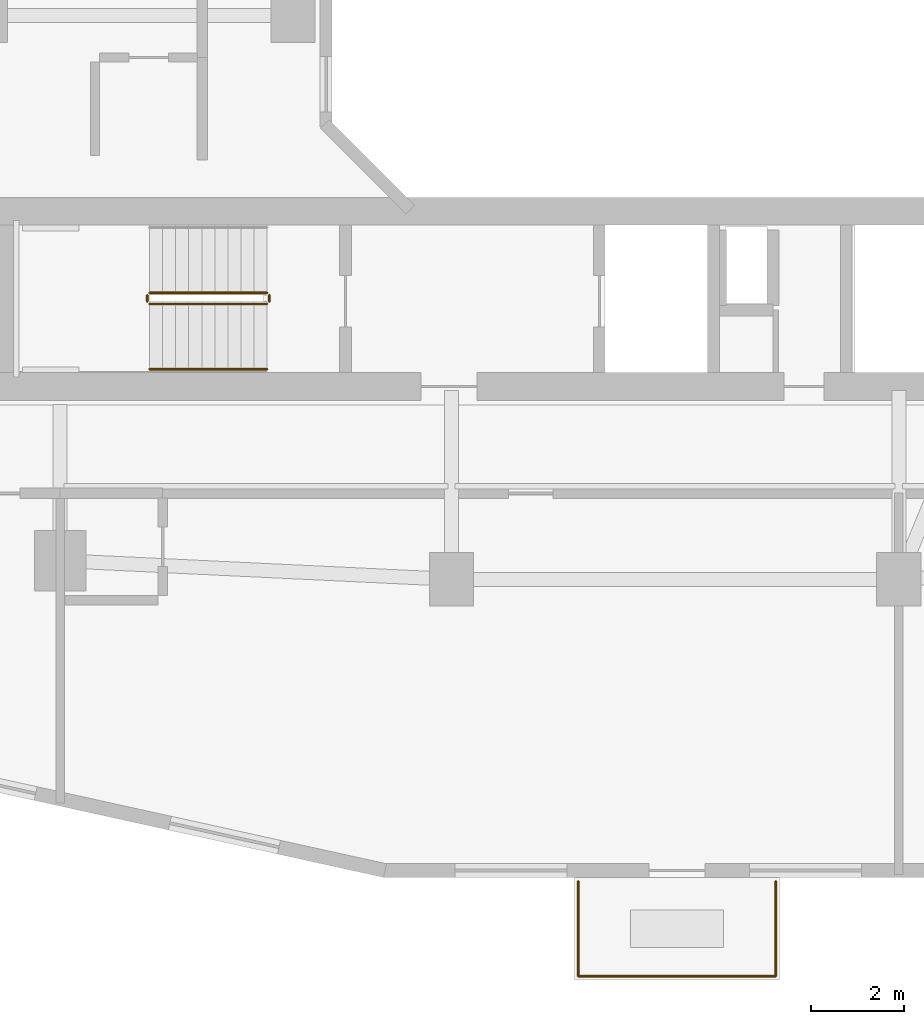
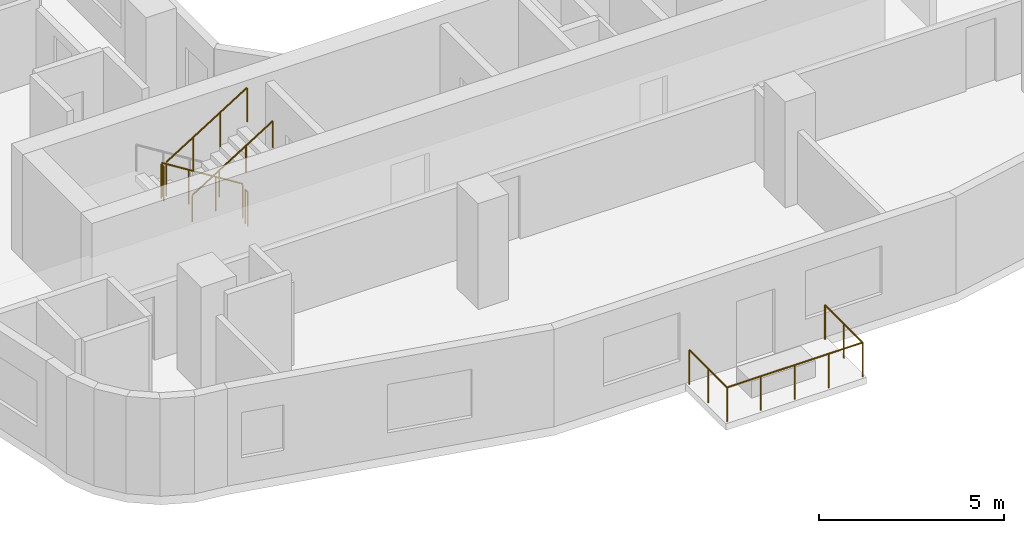
# One storey, part 18 of 22: 8 railings.
"""IFC4 building model written with IfcOpenShell, lengths in metres."""

from ifc_helpers import new_model, si_unit, derived_unit, direction, frame, origin, origin_2d, place, context, subcontext, project, spatial, circle, extrude, material, type_object, element, save


model = new_model("IFC4")

# Units and contexts
model_context = context("Model", 3, precision=1e-05, world=origin(), true_north=direction((0.0, 1.0)))
body_context = subcontext(model_context, "Body", "Model", "MODEL_VIEW")
ifc_project = project(units=[si_unit("LENGTHUNIT", "METRE"), si_unit("AREAUNIT", "SQUARE_METRE"), si_unit("VOLUMEUNIT", "CUBIC_METRE"), si_unit("PLANEANGLEUNIT", "RADIAN"), si_unit("MASSUNIT", "GRAM", prefix="KILO"), derived_unit("THERMALTRANSMITTANCEUNIT", [(si_unit("POWERUNIT", "WATT"), 1), (si_unit("LENGTHUNIT", "METRE"), -2), (si_unit("THERMODYNAMICTEMPERATUREUNIT", "KELVIN"), -1)])], contexts=[model_context])

# Site, building, storey
site_placement = place(None, origin())
site = spatial("IfcSite", under=ifc_project, at=site_placement, CompositionType="ELEMENT")
building_placement = place(site_placement, origin())
building = spatial("IfcBuilding", under=site, at=building_placement, Name="Kivonza Crest Hotel", CompositionType="ELEMENT")
storey_placement = place(building_placement, frame((0.0, 0.0, 27.5)))
storey = spatial("IfcBuildingStorey", under=building, at=storey_placement, Name="L06", CompositionType="ELEMENT", Elevation=27.5)

# Railings
ifc_material_1 = material(Name="Brushed stainless steel handrail", Category="steel")
railing_type_1 = type_object("IfcRailingType", Name="RL-HAND-900", PredefinedType="HANDRAIL", material=ifc_material_1)
railing_1_placement = place(storey_placement, frame((9.719970703125, 13.909912109375, 1.925048828125)))
element("IfcRailing", 1, at=railing_1_placement, inside=storey, type_object=railing_type_1, Name="L06 ST-T1-S stair handrail 2", PredefinedType="HANDRAIL", context=body_context, shape_type="SweptSolid", body=[
    extrude(circle(Radius=0.02392578125, at=origin_2d()), frame((0.0, 0.0, 0.8759765625), z_axis=(0.848007534815, 0.0, 0.529984170421), x_axis=(0.0, 1.0, 0.0)), (0.0, 0.0, 1.0), 2.9716796875),
    extrude(circle(Radius=0.02099609375, at=origin_2d()), origin(), (0.0, 0.0, 1.0), 0.851806640625),
    extrude(circle(Radius=0.02099609375, at=origin_2d()), frame((0.840087890625, 0.0, 0.52490234375)), (0.0, 0.0, 1.0), 0.851806640625),
    extrude(circle(Radius=0.02099609375, at=origin_2d()), frame((1.679931640625, 0.0, 1.050048828125)), (0.0, 0.0, 1.0), 0.851806640625),
    extrude(circle(Radius=0.02099609375, at=origin_2d()), frame((2.52001953125, 0.0, 1.574951171875)), (0.0, 0.0, 1.0), 0.851806640625),
])
ifc_material_2 = material(Name="Painted steel balustrade", Category="steel")
railing_type_2 = type_object("IfcRailingType", Name="RL-STAIR-1150", PredefinedType="BALUSTRADE", material=ifc_material_2)
railing_2_placement = place(storey_placement, frame((12.239990234375, 15.550048828125, 0.175048828125)))
element("IfcRailing", 2, at=railing_2_placement, inside=storey, type_object=railing_type_2, Name="L06 ST-T1-S stair guard 1", PredefinedType="BALUSTRADE", context=body_context, shape_type="SweptSolid", body=[
    extrude(circle(Radius=0.02392578125, at=origin_2d()), frame((0.0, 0.0, 1.1259765625), z_axis=(-0.848007534815, 0.0, 0.529984170421), x_axis=(0.0, -1.0, 0.0)), (0.0, 0.0, 1.0), 2.9716796875),
    extrude(circle(Radius=0.02099609375, at=origin_2d()), origin(), (0.0, 0.0, 1.0), 1.101806640625),
    extrude(circle(Radius=0.02099609375, at=origin_2d()), frame((-0.840087890625, 0.0, 0.52490234375)), (0.0, 0.0, 1.0), 1.101806640625),
    extrude(circle(Radius=0.02099609375, at=origin_2d()), frame((-1.679931640625, 0.0, 1.050048828125)), (0.0, 0.0, 1.0), 1.101806640625),
    extrude(circle(Radius=0.02099609375, at=origin_2d()), frame((-2.52001953125, 0.0, 1.574951171875)), (0.0, 0.0, 1.0), 1.101806640625),
])
railing_3_placement = place(storey_placement, frame((9.669921875, 15.5, 1.75)))
element("IfcRailing", 3, at=railing_3_placement, inside=storey, type_object=railing_type_2, Name="L06 ST-T1-S stair guard 2", PredefinedType="BALUSTRADE", context=body_context, shape_type="SweptSolid", body=[
    extrude(circle(Radius=0.02392578125, at=origin_2d()), frame((0.0, 0.0, 1.1259765625), z_axis=(0.0, -1.0, 0.0), x_axis=(1.0, 0.0, 0.0)), (0.0, 0.0, 1.0), 0.139892578125),
    extrude(circle(Radius=0.02099609375, at=origin_2d()), origin(), (0.0, 0.0, 1.0), 1.101806640625),
    extrude(circle(Radius=0.02099609375, at=origin_2d()), frame((0.0, -0.139892578125, 0.0)), (0.0, 0.0, 1.0), 1.101806640625),
])
railing_4_placement = place(storey_placement, frame((9.719970703125, 15.31005859375, 1.925048828125)))
element("IfcRailing", 4, at=railing_4_placement, inside=storey, type_object=railing_type_2, Name="L06 ST-T1-S stair guard 3", PredefinedType="BALUSTRADE", context=body_context, shape_type="SweptSolid", body=[
    extrude(circle(Radius=0.02392578125, at=origin_2d()), frame((0.0, 0.0, 1.1259765625), z_axis=(0.848007534815, 0.0, 0.529984170421), x_axis=(0.0, 1.0, 0.0)), (0.0, 0.0, 1.0), 2.9716796875),
    extrude(circle(Radius=0.02099609375, at=origin_2d()), origin(), (0.0, 0.0, 1.0), 1.101806640625),
    extrude(circle(Radius=0.02099609375, at=origin_2d()), frame((0.840087890625, 0.0, 0.52490234375)), (0.0, 0.0, 1.0), 1.101806640625),
    extrude(circle(Radius=0.02099609375, at=origin_2d()), frame((1.679931640625, 0.0, 1.050048828125)), (0.0, 0.0, 1.0), 1.101806640625),
    extrude(circle(Radius=0.02099609375, at=origin_2d()), frame((2.52001953125, 0.0, 1.574951171875)), (0.0, 0.0, 1.0), 1.101806640625),
])
railing_5_placement = place(storey_placement, frame((12.2900390625, 15.5, 0.0)))
element("IfcRailing", 5, at=railing_5_placement, inside=storey, type_object=railing_type_2, Name="L06 ST-T1-S stair guard 4", PredefinedType="BALUSTRADE", context=body_context, shape_type="SweptSolid", body=[
    extrude(circle(Radius=0.02392578125, at=origin_2d()), frame((0.0, 0.0, 1.1259765625), z_axis=(0.0, -1.0, 0.0), x_axis=(1.0, 0.0, 0.0)), (0.0, 0.0, 1.0), 0.139892578125),
    extrude(circle(Radius=0.02099609375, at=origin_2d()), origin(), (0.0, 0.0, 1.0), 1.101806640625),
    extrude(circle(Radius=0.02099609375, at=origin_2d()), frame((0.0, -0.139892578125, 0.0)), (0.0, 0.0, 1.0), 1.101806640625),
])
ifc_material_3 = material(Name="Laminated glass and stainless steel balustrade", Category="steel")
railing_type_3 = type_object("IfcRailingType", Name="RL-TERR-1150", PredefinedType="BALUSTRADE", material=ifc_material_3)
railing_6_placement = place(storey_placement, frame((18.919921875, 0.8798828125, 0.0)))
element("IfcRailing", 6, at=railing_6_placement, inside=storey, type_object=railing_type_3, Name="L06 T1-L06-SG-SW perimeter safety balustrade 1", PredefinedType="BALUSTRADE", context=body_context, shape_type="SweptSolid", body=[
    extrude(circle(Radius=0.02392578125, at=origin_2d()), frame((0.0, 0.0, 1.1259765625), z_axis=(0.0, 1.0, 0.0), x_axis=(-1.0, 0.0, 0.0)), (0.0, 0.0, 1.0), 2.0400390625),
    extrude(circle(Radius=0.02099609375, at=origin_2d()), origin(), (0.0, 0.0, 1.0), 1.101806640625),
    extrude(circle(Radius=0.02099609375, at=origin_2d()), frame((0.0, 1.02001953125, 0.0)), (0.0, 0.0, 1.0), 1.101806640625),
    extrude(circle(Radius=0.02099609375, at=origin_2d()), frame((0.0, 2.0400390625, 0.0)), (0.0, 0.0, 1.0), 1.101806640625),
])
railing_7_placement = place(storey_placement, frame((23.159912109375, 2.919921875, 0.0)))
element("IfcRailing", 7, at=railing_7_placement, inside=storey, type_object=railing_type_3, Name="L06 T1-L06-SG-SW perimeter safety balustrade 2", PredefinedType="BALUSTRADE", context=body_context, shape_type="SweptSolid", body=[
    extrude(circle(Radius=0.02392578125, at=origin_2d()), frame((0.0, 0.0, 1.1259765625), z_axis=(0.0, -1.0, 0.0), x_axis=(1.0, 0.0, 0.0)), (0.0, 0.0, 1.0), 2.0400390625),
    extrude(circle(Radius=0.02099609375, at=origin_2d()), origin(), (0.0, 0.0, 1.0), 1.101806640625),
    extrude(circle(Radius=0.02099609375, at=origin_2d()), frame((0.0, -1.02001953125, 0.0)), (0.0, 0.0, 1.0), 1.101806640625),
    extrude(circle(Radius=0.02099609375, at=origin_2d()), frame((0.0, -2.0400390625, 0.0)), (0.0, 0.0, 1.0), 1.101806640625),
])
railing_8_placement = place(storey_placement, frame((23.159912109375, 0.8798828125, 0.0)))
element("IfcRailing", 8, at=railing_8_placement, inside=storey, type_object=railing_type_3, Name="L06 T1-L06-SG-SW perimeter safety balustrade 3", PredefinedType="BALUSTRADE", context=body_context, shape_type="SweptSolid", body=[
    extrude(circle(Radius=0.02392578125, at=origin_2d()), frame((0.0, 0.0, 1.1259765625), z_axis=(-1.0, 0.0, 0.0), x_axis=(0.0, -1.0, 0.0)), (0.0, 0.0, 1.0), 4.239990234375),
    extrude(circle(Radius=0.02099609375, at=origin_2d()), origin(), (0.0, 0.0, 1.0), 1.101806640625),
    extrude(circle(Radius=0.02099609375, at=origin_2d()), frame((-1.06005859375, 0.0, 0.0)), (0.0, 0.0, 1.0), 1.101806640625),
    extrude(circle(Radius=0.02099609375, at=origin_2d()), frame((-2.1201171875, 0.0, 0.0)), (0.0, 0.0, 1.0), 1.101806640625),
    extrude(circle(Radius=0.02099609375, at=origin_2d()), frame((-3.179931640625, 0.0, 0.0)), (0.0, 0.0, 1.0), 1.101806640625),
    extrude(circle(Radius=0.02099609375, at=origin_2d()), frame((-4.239990234375, 0.0, 0.0)), (0.0, 0.0, 1.0), 1.101806640625),
])

save(model, "model.ifc")
